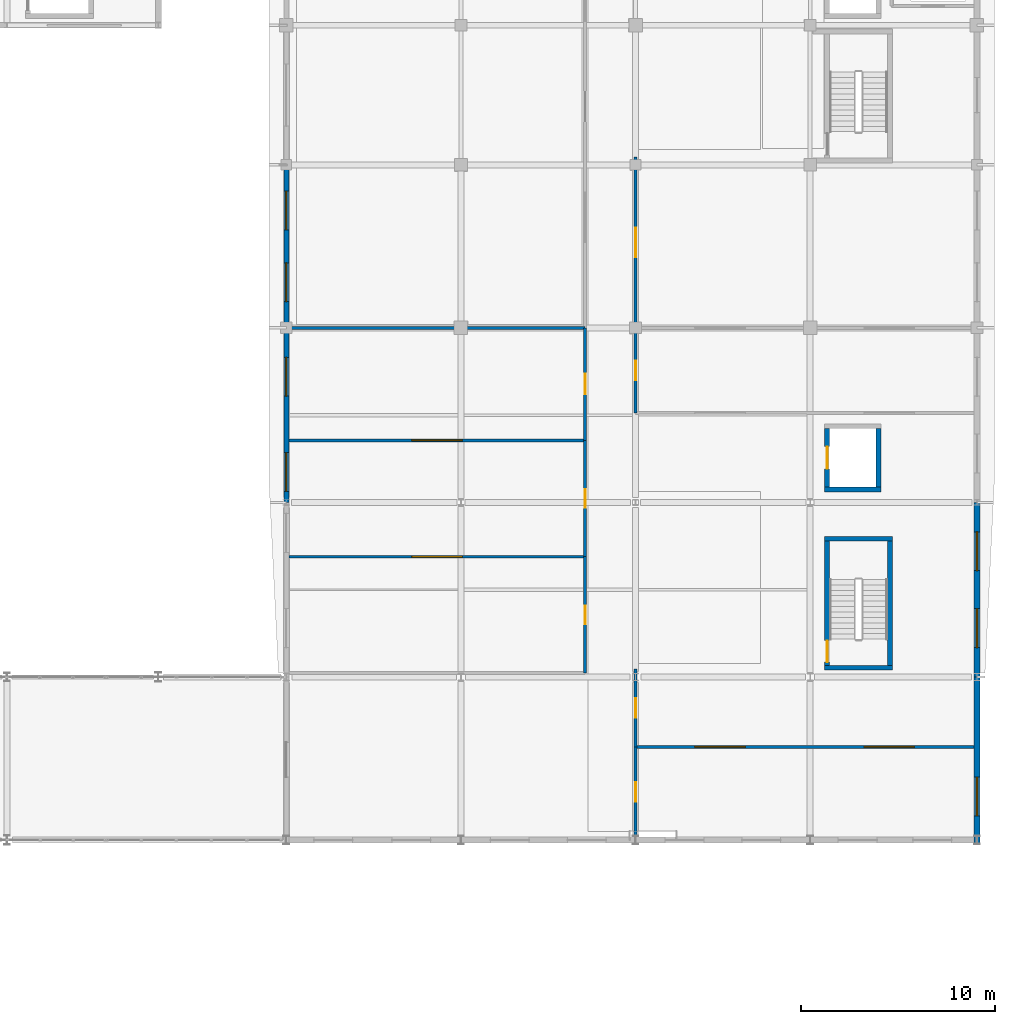
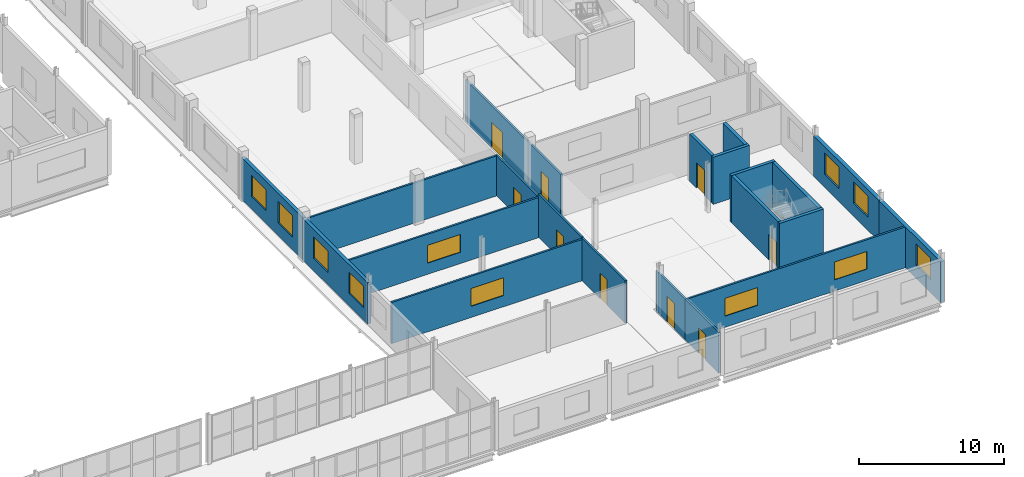
# One storey, part 99 of 121: 22 walls, 11 windows, 9 doors, 20 openings.
"""IFC4 building model written with IfcOpenShell, lengths in metres."""

import ifcopenshell
import ifcopenshell.guid

model = None  # the IFC model being written
_history = None  # IfcOwnerHistory: only IFC2X3 demands one
_inside = {}  # id of a spatial element -> (the spatial element, [elements in it])
_under = {}  # id of a project, library or spatial element -> (it, [spatial elements below it])
_declared = {}  # id of a project -> (the project, [libraries it declares])
_typed = {}  # id of a type object -> (the type object, [elements of that type])
_made_of = {}  # id of a material, layer set ... -> (it, [elements and type objects made of it])


def new_model(schema):
    """Start an empty IFC model of exactly this schema.

    Asked for "IFC4X3", IfcOpenShell would pick the latest addendum, in which some entities
    have other attributes; the version numbers below select the first issue.
    IFC2X3 requires an IfcOwnerHistory on every rooted entity: one is made here for all.
    """
    global model, _history
    if schema == "IFC4X3":
        model = ifcopenshell.file(schema_version=(4, 3, 0, 0))
    else:
        model = ifcopenshell.file(schema=schema)
    _inside.clear()
    _under.clear()
    _declared.clear()
    _typed.clear()
    _made_of.clear()
    _history = None
    if model.schema == "IFC2X3":
        org = make("IfcOrganization", Name="unknown")
        user = make(
            "IfcPersonAndOrganization",
            ThePerson=make("IfcPerson", FamilyName="unknown"),
            TheOrganization=org,
        )
        app = make(
            "IfcApplication",
            ApplicationDeveloper=org,
            Version="unknown",
            ApplicationFullName="unknown",
            ApplicationIdentifier="unknown",
        )
        _history = make(
            "IfcOwnerHistory",
            OwningUser=user,
            OwningApplication=app,
            ChangeAction="ADDED",
            CreationDate=0,
        )
    return model


def make(cls, **values):
    """One entity of the class cls with the attributes given. An attribute that is None is left unset."""
    return model.create_entity(
        cls, **{name: value for name, value in values.items() if value is not None}
    )


def rooted(cls, **values):
    """An entity with a GlobalId (a new one), such as an element, a storey or a relation."""
    return make(cls, GlobalId=ifcopenshell.guid.new(), OwnerHistory=_history, **values)


def si_unit(unit_type, name, prefix=None):
    """IfcSIUnit, for example si_unit("LENGTHUNIT", "METRE", prefix="MILLI")."""
    return make("IfcSIUnit", UnitType=unit_type, Prefix=prefix, Name=name)


def assignment(units):
    """IfcUnitAssignment: the units of a project."""
    return None if units is None else make("IfcUnitAssignment", Units=units)


def point(xyz):
    """IfcCartesianPoint."""
    return None if xyz is None else make("IfcCartesianPoint", Coordinates=xyz)


def direction(xyz):
    """IfcDirection."""
    return None if xyz is None else make("IfcDirection", DirectionRatios=xyz)


def frame(location, z_axis=None, x_axis=None):
    """IfcAxis2Placement3D, a coordinate frame: its origin and axes. An axis left out is left unset."""
    return make(
        "IfcAxis2Placement3D",
        Location=point(location),
        Axis=direction(z_axis),
        RefDirection=direction(x_axis),
    )


def frame_2d(location, x_axis=None):
    """IfcAxis2Placement2D, a coordinate frame in the plane: its origin and x axis."""
    return make(
        "IfcAxis2Placement2D", Location=point(location), RefDirection=direction(x_axis)
    )


def origin():
    """The frame at (0, 0, 0) with its axes left unset."""
    return frame((0.0, 0.0, 0.0))


def place(relative_to, where):
    """IfcLocalPlacement: puts the frame where relative to a parent placement (None: the world)."""
    return make(
        "IfcLocalPlacement", PlacementRelTo=relative_to, RelativePlacement=where
    )


def context(
    kind, dimensions, precision=None, world=None, true_north=None, identifier=None
):
    """IfcGeometricRepresentationContext, for example the 3D "Model" context."""
    return make(
        "IfcGeometricRepresentationContext",
        ContextIdentifier=identifier,
        ContextType=kind,
        CoordinateSpaceDimension=dimensions,
        Precision=precision,
        WorldCoordinateSystem=world,
        TrueNorth=true_north,
    )


def subcontext(parent, identifier, kind, view, scale=None):
    """IfcGeometricRepresentationSubContext, for example "Body" below "Model"."""
    return make(
        "IfcGeometricRepresentationSubContext",
        ContextIdentifier=identifier,
        ContextType=kind,
        ParentContext=parent,
        TargetScale=scale,
        TargetView=view,
    )


def project(units=None, contexts=None):
    """IfcProject with its units and contexts."""
    return rooted(
        "IfcProject",
        Name="project",
        RepresentationContexts=contexts,
        UnitsInContext=assignment(units),
    )


def spatial(cls, under=None, at=None, **own):
    """A site, building, storey or space (cls), placed at a placement, below another one or the project."""
    s = rooted(cls, ObjectPlacement=at, **own)
    if under is not None:
        _under.setdefault(under.id(), (under, []))[1].append(s)
    return s


def profile(cls, at=None, kind="AREA", **sizes):
    """A parametric profile (cls). Its sizes go by their IFC names, for example OverallWidth=200.0."""
    return make(cls, ProfileType=kind, Position=at, **sizes)


def rectangle(**sizes):
    """IfcRectangleProfileDef."""
    return profile("IfcRectangleProfileDef", **sizes)


def extrude(swept, where, along, depth):
    """IfcExtrudedAreaSolid: the profile swept, set in the frame where, extruded along a direction by depth."""
    return make(
        "IfcExtrudedAreaSolid",
        SweptArea=swept,
        Position=where,
        ExtrudedDirection=direction(along),
        Depth=depth,
    )


def shape(context_of_items, identifier, shape_type, items):
    """IfcShapeRepresentation: the items that make up one representation, for example the "Body"."""
    return make(
        "IfcShapeRepresentation",
        ContextOfItems=context_of_items,
        RepresentationIdentifier=identifier,
        RepresentationType=shape_type,
        Items=items,
    )


def material(Name=None, Category=None):
    """IfcMaterial."""
    return make("IfcMaterial", Name=Name, Category=Category)


def layer(
    of_material, thickness, ventilated=None, Name=None, Category=None, Priority=None
):
    """IfcMaterialLayer: one layer of a wall or slab, of a material (None: an air gap)."""
    return make(
        "IfcMaterialLayer",
        Material=of_material,
        LayerThickness=thickness,
        IsVentilated=ventilated,
        Name=Name,
        Category=Category,
        Priority=Priority,
    )


def layer_set(layers, Name=None):
    """IfcMaterialLayerSet."""
    return make("IfcMaterialLayerSet", MaterialLayers=layers, LayerSetName=Name)


def made_of(thing, what):
    """Note that an element or type object is made of a material, layer set ...; save() writes the relation."""
    if what is not None:
        _made_of.setdefault(what.id(), (what, []))[1].append(thing)
    return thing


def type_object(cls, material=None, **own):
    """A type object (cls), such as IfcWallType, which elements share."""
    return made_of(rooted(cls, **own), material)


def element(
    cls,
    number,
    at=None,
    inside=None,
    cuts=None,
    type_object=None,
    material=None,
    context=None,
    identifier="Body",
    shape_type=None,
    held_by="IfcProductDefinitionShape",
    body=None,
    shapes=None,
    **own,
):
    """One element of the class cls, such as IfcWall. Its Tag is "e" and its number.

    at: its placement. inside: the storey or other place that contains it. cuts: it is an
    opening in that element (IfcRelVoidsElement). A single representation is given by context,
    identifier, shape_type and body (its items); several are given by shapes. held_by: the class
    of the entity that holds the representations. save() writes the other relations.
    """
    e = rooted(cls, Tag="e%d" % number, ObjectPlacement=at, **own)
    if body is not None:
        shapes = [shape(context, identifier, shape_type, body)]
    if shapes is not None:
        e.Representation = make(held_by, Representations=shapes)
    if inside is not None:
        _inside.setdefault(inside.id(), (inside, []))[1].append(e)
    if cuts is not None:
        rooted(
            "IfcRelVoidsElement", RelatingBuildingElement=cuts, RelatedOpeningElement=e
        )
    if type_object is not None:
        _typed.setdefault(type_object.id(), (type_object, []))[1].append(e)
    return made_of(e, material)


def fill(opening, filler):
    """IfcRelFillsElement: the door or window that sits in an opening."""
    return rooted(
        "IfcRelFillsElement",
        RelatingOpeningElement=opening,
        RelatedBuildingElement=filler,
    )


def aggregate(whole, parts):
    """IfcRelAggregates: a whole, such as a stair, and the parts it consists of."""
    return rooted("IfcRelAggregates", RelatingObject=whole, RelatedObjects=parts)


def save(model, path):
    """Write the relations noted so far, then the file.

    IfcRelAggregates (storeys below a building ...), IfcRelContainedInSpatialStructure (elements
    in a storey), IfcRelDefinesByType, IfcRelAssociatesMaterial and IfcRelDeclares: one each for
    every whole, place, type object, material and project.
    """
    for whole, parts in _under.values():
        aggregate(whole, parts)
    for where, things in _inside.values():
        rooted(
            "IfcRelContainedInSpatialStructure",
            RelatedElements=things,
            RelatingStructure=where,
        )
    for kind, things in _typed.values():
        rooted("IfcRelDefinesByType", RelatedObjects=things, RelatingType=kind)
    for what, things in _made_of.values():
        rooted("IfcRelAssociatesMaterial", RelatedObjects=things, RelatingMaterial=what)
    for by, libraries in _declared.values():
        rooted("IfcRelDeclares", RelatingContext=by, RelatedDefinitions=libraries)
    model.write(path)


model = new_model("IFC4")

# Units and contexts
model_context = context("Model", 3, precision=1e-05, world=origin(), true_north=direction((0.0, 1.0)))
body_context = subcontext(model_context, "Body", "Model", "MODEL_VIEW")
ifc_project = project(units=[si_unit("LENGTHUNIT", "METRE"), si_unit("AREAUNIT", "SQUARE_METRE"), si_unit("VOLUMEUNIT", "CUBIC_METRE"), si_unit("PLANEANGLEUNIT", "RADIAN"), si_unit("MASSUNIT", "GRAM", prefix="KILO")], contexts=[model_context])

# Site, building, storey
site_placement = place(None, origin())
site = spatial("IfcSite", under=ifc_project, at=site_placement, CompositionType="ELEMENT")
building_placement = place(site_placement, origin())
building = spatial("IfcBuilding", under=site, at=building_placement, Name="Vinh Khe Railworks Police Headquarters", CompositionType="ELEMENT")
storey_placement = place(building_placement, frame((0.0, 0.0, 4.800048828125)))
storey = spatial("IfcBuildingStorey", under=building, at=storey_placement, Name="L01", CompositionType="ELEMENT", Elevation=4.800048828125)

# Walls
ifc_material_1 = material(Name="Concrete C40/50 (B40)", Category="concrete")
ifc_layer_1 = layer(ifc_material_1, 0.25)
ifc_layer_set_1 = layer_set([ifc_layer_1], Name="Concrete C40/50 (B40)")
wall_type_1 = type_object("IfcWallType", Name="Core Shear Wall 250", PredefinedType="SHEAR", material=ifc_layer_set_1)
for number, where, z_axis, x_axis, name in (
    (1, (105.75, 104.875, 0.0), (0.0, 0.0, 1.0), (1.0, 0.0, 0.0), "Core C4 STAIR-S Shear Wall (L01)"),
    (2, (105.75, 111.52490234375, 0.0), (0.0, 0.0, 1.0), (1.0, 0.0, 0.0), "Core C4 STAIR-N Shear Wall (L01)"),
):
    element("IfcWall", number, at=place(storey_placement, frame(where, z_axis=z_axis, x_axis=x_axis)), inside=storey, type_object=wall_type_1, Name=name, PredefinedType="SHEAR", context=body_context, shape_type="SweptSolid", body=[
        extrude(rectangle(XDim=3.5, YDim=0.25, at=frame_2d((1.75, 0.0))), origin(), (0.0, 0.0, 1.0), 3.97998046875),
    ])

# Wall, opening, door
wall_1_placement = place(storey_placement, frame((105.875, 105.0, 0.0), z_axis=(0.0, 0.0, 1.0), x_axis=(0.0, 1.0, 0.0)))
wall_1 = element("IfcWall", 3, at=wall_1_placement, inside=storey, type_object=wall_type_1, Name="Core C4 STAIR-W Shear Wall (L01)", PredefinedType="SHEAR", context=body_context, shape_type="SweptSolid", body=[
    extrude(rectangle(XDim=6.39990234375, YDim=0.25, at=frame_2d((3.199951171875, 0.0))), origin(), (0.0, 0.0, 1.0), 3.97998046875),
])
opening_1_placement = place(wall_1_placement, frame((0.169921875, 0.0, 0.0)))
opening_1 = element("IfcOpeningElement", 4, at=opening_1_placement, cuts=wall_1, Name="Opening FD-01", PredefinedType="OPENING", context=body_context, shape_type="SweptSolid", body=[
    extrude(rectangle(XDim=1.10009765625, YDim=2.14990234375, at=frame_2d((0.550048828125, 1.074951171875))), frame((0.0, 0.139892578125, 0.0), z_axis=(0.0, -1.0, 0.0), x_axis=(1.0, 0.0, 0.0)), (0.0, 0.0, 1.0), 0.27978515625),
])
ifc_material_2 = material(Name="Painted galvanised steel", Category="steel")
door_type_1 = type_object("IfcDoorType", Name="FD-1100x2150", OperationType="NOTDEFINED", PredefinedType="DOOR", material=ifc_material_2)
door_1_placement = place(opening_1_placement, origin())
door_1 = element("IfcDoor", 5, at=door_1_placement, inside=storey, type_object=door_type_1, Name="Escape Stair ST-04 Fire Door L01", OperationType="SINGLE_SWING_LEFT", OverallHeight=2.14990234375, OverallWidth=1.10009765625, PredefinedType="DOOR", context=body_context, shape_type="SweptSolid", body=[
    extrude(rectangle(XDim=1.10009765625, YDim=2.14990234375, at=frame_2d((0.550048828125, 1.074951171875))), frame((0.0, 0.02490234375, 0.0), z_axis=(0.0, -1.0, 0.0), x_axis=(1.0, 0.0, 0.0)), (0.0, 0.0, 1.0), 0.050048828125),
])
fill(opening_1, door_1)

# Walls
wall_2_placement = place(storey_placement, frame((109.125, 105.0, 0.0), z_axis=(0.0, 0.0, 1.0), x_axis=(0.0, 1.0, 0.0)))
element("IfcWall", 6, at=wall_2_placement, inside=storey, type_object=wall_type_1, Name="Core C4 STAIR-E Shear Wall (L01)", PredefinedType="SHEAR", context=body_context, shape_type="SweptSolid", body=[
    extrude(rectangle(XDim=6.39990234375, YDim=0.25, at=frame_2d((3.199951171875, 0.0))), origin(), (0.0, 0.0, 1.0), 3.97998046875),
])
wall_3_placement = place(storey_placement, frame((105.75, 114.074951171875, 0.0), z_axis=(0.0, 0.0, 1.0), x_axis=(1.0, 0.0, 0.0)))
element("IfcWall", 7, at=wall_3_placement, inside=storey, type_object=wall_type_1, Name="Core C4 PL-S Lift Shaft Wall (L01)", PredefinedType="SHEAR", context=body_context, shape_type="SweptSolid", body=[
    extrude(rectangle(XDim=2.89990234375, YDim=0.25, at=frame_2d((1.449951171875, 0.0))), origin(), (0.0, 0.0, 1.0), 3.97998046875),
])

# Wall, opening, door
wall_4_placement = place(storey_placement, frame((105.875, 114.199951171875, 0.0), z_axis=(0.0, 0.0, 1.0), x_axis=(0.0, 1.0, 0.0)))
wall_4 = element("IfcWall", 8, at=wall_4_placement, inside=storey, type_object=wall_type_1, Name="Core C4 PL-W Lift Shaft Wall (L01)", PredefinedType="SHEAR", context=body_context, shape_type="SweptSolid", body=[
    extrude(rectangle(XDim=3.0, YDim=0.25, at=frame_2d((1.5, 0.0))), origin(), (0.0, 0.0, 1.0), 3.97998046875),
])
opening_2_placement = place(wall_4_placement, frame((0.925048828125, 0.0, 0.0)))
opening_2 = element("IfcOpeningElement", 9, at=opening_2_placement, cuts=wall_4, Name="Opening LD-03", PredefinedType="OPENING", context=body_context, shape_type="SweptSolid", body=[
    extrude(rectangle(XDim=1.14990234375, YDim=2.14990234375, at=frame_2d((0.574951171875, 1.074951171875))), frame((0.0, 0.139892578125, 0.0), z_axis=(0.0, -1.0, 0.0), x_axis=(1.0, 0.0, 0.0)), (0.0, 0.0, 1.0), 0.27978515625),
])
door_type_2 = type_object("IfcDoorType", Name="LD-CUST-1150", OperationType="SLIDING_TO_LEFT", PredefinedType="DOOR", material=ifc_material_2)
door_2_placement = place(opening_2_placement, origin())
door_2 = element("IfcDoor", 10, at=door_2_placement, inside=storey, type_object=door_type_2, Name="Lift Landing Door CL-01 L01", OperationType="SLIDING_TO_LEFT", OverallHeight=2.14990234375, OverallWidth=1.14990234375, PredefinedType="DOOR", context=body_context, shape_type="SweptSolid", body=[
    extrude(rectangle(XDim=1.14990234375, YDim=2.14990234375, at=frame_2d((0.574951171875, 1.074951171875))), frame((0.0, 0.02490234375, 0.0), z_axis=(0.0, -1.0, 0.0), x_axis=(1.0, 0.0, 0.0)), (0.0, 0.0, 1.0), 0.050048828125),
])
fill(opening_2, door_2)

# Wall
wall_5_placement = place(storey_placement, frame((108.52490234375, 114.199951171875, 0.0), z_axis=(0.0, 0.0, 1.0), x_axis=(0.0, 1.0, 0.0)))
element("IfcWall", 11, at=wall_5_placement, inside=storey, type_object=wall_type_1, Name="Core C4 PL-E Lift Shaft Wall (L01)", PredefinedType="SHEAR", context=body_context, shape_type="SweptSolid", body=[
    extrude(rectangle(XDim=3.0, YDim=0.25, at=frame_2d((1.5, 0.0))), origin(), (0.0, 0.0, 1.0), 3.97998046875),
])

# Wall, openings, windows
ifc_material_3 = material(Name="Clay brickwork", Category="masonry")
ifc_layer_2 = layer(ifc_material_3, 0.260009765625)
ifc_layer_set_2 = layer_set([ifc_layer_2], Name="Clay brickwork")
wall_type_2 = type_object("IfcWallType", Name="EW-BRK-260", PredefinedType="SOLIDWALL", material=ifc_layer_set_2)
wall_6_placement = place(storey_placement, frame((78.0, 113.39990234375, 0.0), z_axis=(0.0, 0.0, 1.0), x_axis=(0.0, 1.0, 0.0)))
wall_6 = element("IfcWall", 12, at=wall_6_placement, inside=storey, type_object=wall_type_2, Name="Exterior Brick Wall EW-L01-V6W-03", PredefinedType="SOLIDWALL", context=body_context, shape_type="SweptSolid", body=[
    extrude(rectangle(XDim=9.0, YDim=0.260009765625, at=frame_2d((4.5, 0.0))), origin(), (0.0, 0.0, 1.0), 3.48486328125),
])
opening_3_placement = place(wall_6_placement, frame((0.570068359375, 0.0, 1.050048828125)))
opening_3 = element("IfcOpeningElement", 13, at=opening_3_placement, cuts=wall_6, Name="Opening WN-04", PredefinedType="OPENING", context=body_context, shape_type="SweptSolid", body=[
    extrude(rectangle(XDim=2.0, YDim=1.800048828125, at=frame_2d((1.0, 0.89990234375))), frame((0.0, 0.14501953125, 0.0), z_axis=(0.0, -1.0, 0.0), x_axis=(1.0, 0.0, 0.0)), (0.0, 0.0, 1.0), 0.289794921875),
])
opening_4_placement = place(wall_6_placement, frame((5.47998046875, 0.0, 1.050048828125)))
opening_4 = element("IfcOpeningElement", 14, at=opening_4_placement, cuts=wall_6, Name="Opening WN-04", PredefinedType="OPENING", context=body_context, shape_type="SweptSolid", body=[
    extrude(rectangle(XDim=2.0, YDim=1.800048828125, at=frame_2d((1.0, 0.89990234375))), frame((0.0, 0.14501953125, 0.0), z_axis=(0.0, -1.0, 0.0), x_axis=(1.0, 0.0, 0.0)), (0.0, 0.0, 1.0), 0.289794921875),
])
ifc_material_4 = material(Name="Double-glazed solar-control glass in dark steel frame", Category="steel")
window_type_1 = type_object("IfcWindowType", Name="WIN-WN-04", PartitioningType="DOUBLE_PANEL_VERTICAL", PredefinedType="WINDOW", material=ifc_material_4)
window_1_placement = place(opening_3_placement, origin())
window_1 = element("IfcWindow", 15, at=window_1_placement, inside=storey, type_object=window_type_1, Name="Casement Window WN-04", OverallHeight=1.800048828125, OverallWidth=2.0, PartitioningType="SINGLE_PANEL", PredefinedType="WINDOW", context=body_context, shape_type="SweptSolid", body=[
    extrude(rectangle(XDim=2.0, YDim=1.800048828125, at=frame_2d((1.0, 0.89990234375))), frame((0.0, 0.030029296875, 0.0), z_axis=(0.0, -1.0, 0.0), x_axis=(1.0, 0.0, 0.0)), (0.0, 0.0, 1.0), 0.06005859375),
])
fill(opening_3, window_1)
window_2_placement = place(opening_4_placement, origin())
window_2 = element("IfcWindow", 16, at=window_2_placement, inside=storey, type_object=window_type_1, Name="Casement Window WN-04", OverallHeight=1.800048828125, OverallWidth=2.0, PartitioningType="SINGLE_PANEL", PredefinedType="WINDOW", context=body_context, shape_type="SweptSolid", body=[
    extrude(rectangle(XDim=2.0, YDim=1.800048828125, at=frame_2d((1.0, 0.89990234375))), frame((0.0, 0.030029296875, 0.0), z_axis=(0.0, -1.0, 0.0), x_axis=(1.0, 0.0, 0.0)), (0.0, 0.0, 1.0), 0.06005859375),
])
fill(opening_4, window_2)

wall_7_placement = place(storey_placement, frame((78.0, 122.39990234375, 0.0), z_axis=(0.0, 0.0, 1.0), x_axis=(0.0, 1.0, 0.0)))
wall_7 = element("IfcWall", 17, at=wall_7_placement, inside=storey, type_object=wall_type_2, Name="Exterior Brick Wall EW-L01-V6W-04", PredefinedType="SOLIDWALL", context=body_context, shape_type="SweptSolid", body=[
    extrude(rectangle(XDim=8.400146484375, YDim=0.260009765625, at=frame_2d((4.2001953125, 0.0))), origin(), (0.0, 0.0, 1.0), 3.534912109375),
])
opening_5_placement = place(wall_7_placement, frame((1.35205078125, 0.0, 1.050048828125)))
opening_5 = element("IfcOpeningElement", 18, at=opening_5_placement, cuts=wall_7, Name="Opening WN-04", PredefinedType="OPENING", context=body_context, shape_type="SweptSolid", body=[
    extrude(rectangle(XDim=2.0, YDim=1.800048828125, at=frame_2d((1.0, 0.89990234375))), frame((0.0, 0.14501953125, 0.0), z_axis=(0.0, -1.0, 0.0), x_axis=(1.0, 0.0, 0.0)), (0.0, 0.0, 1.0), 0.289794921875),
])
opening_6_placement = place(wall_7_placement, frame((5.048095703125, 0.0, 1.050048828125)))
opening_6 = element("IfcOpeningElement", 19, at=opening_6_placement, cuts=wall_7, Name="Opening WN-04", PredefinedType="OPENING", context=body_context, shape_type="SweptSolid", body=[
    extrude(rectangle(XDim=2.0, YDim=1.800048828125, at=frame_2d((1.0, 0.89990234375))), frame((0.0, 0.14501953125, 0.0), z_axis=(0.0, -1.0, 0.0), x_axis=(1.0, 0.0, 0.0)), (0.0, 0.0, 1.0), 0.289794921875),
])
window_3_placement = place(opening_5_placement, origin())
window_3 = element("IfcWindow", 20, at=window_3_placement, inside=storey, type_object=window_type_1, Name="Casement Window WN-04", OverallHeight=1.800048828125, OverallWidth=2.0, PartitioningType="SINGLE_PANEL", PredefinedType="WINDOW", context=body_context, shape_type="SweptSolid", body=[
    extrude(rectangle(XDim=2.0, YDim=1.800048828125, at=frame_2d((1.0, 0.89990234375))), frame((0.0, 0.030029296875, 0.0), z_axis=(0.0, -1.0, 0.0), x_axis=(1.0, 0.0, 0.0)), (0.0, 0.0, 1.0), 0.06005859375),
])
fill(opening_5, window_3)
window_4_placement = place(opening_6_placement, origin())
window_4 = element("IfcWindow", 21, at=window_4_placement, inside=storey, type_object=window_type_1, Name="Casement Window WN-04", OverallHeight=1.800048828125, OverallWidth=2.0, PartitioningType="SINGLE_PANEL", PredefinedType="WINDOW", context=body_context, shape_type="SweptSolid", body=[
    extrude(rectangle(XDim=2.0, YDim=1.800048828125, at=frame_2d((1.0, 0.89990234375))), frame((0.0, 0.030029296875, 0.0), z_axis=(0.0, -1.0, 0.0), x_axis=(1.0, 0.0, 0.0)), (0.0, 0.0, 1.0), 0.06005859375),
])
fill(opening_6, window_4)

# Wall, opening, window
ifc_layer_3 = layer(ifc_material_3, 0.300048828125)
ifc_layer_set_3 = layer_set([ifc_layer_3], Name="Clay brickwork")
wall_type_3 = type_object("IfcWallType", Name="EW-BRK-300", PredefinedType="SOLIDWALL", material=ifc_layer_set_3)
wall_8_placement = place(storey_placement, frame((113.60009765625, 95.85009765625, 0.0), z_axis=(0.0, 0.0, 1.0), x_axis=(0.0, 1.0, 0.0)))
wall_8 = element("IfcWall", 22, at=wall_8_placement, inside=storey, type_object=wall_type_3, Name="Exterior Brick Wall EW-L01-V6E-01", PredefinedType="SOLIDWALL", context=body_context, shape_type="SweptSolid", body=[
    extrude(rectangle(XDim=8.5498046875, YDim=0.300048828125, at=frame_2d((4.27490234375, 0.0))), origin(), (0.0, 0.0, 1.0), 3.43505859375),
])
opening_7_placement = place(wall_8_placement, frame((1.39404296875, 0.0, 1.10009765625)))
opening_7 = element("IfcOpeningElement", 23, at=opening_7_placement, cuts=wall_8, Name="Opening WN-04", PredefinedType="OPENING", context=body_context, shape_type="SweptSolid", body=[
    extrude(rectangle(XDim=2.0, YDim=1.800048828125, at=frame_2d((1.0, 0.89990234375))), frame((0.0, 0.1650390625, 0.0), z_axis=(0.0, -1.0, 0.0), x_axis=(1.0, 0.0, 0.0)), (0.0, 0.0, 1.0), 0.329833984375),
])
window_5_placement = place(opening_7_placement, origin())
window_5 = element("IfcWindow", 24, at=window_5_placement, inside=storey, type_object=window_type_1, Name="Casement Window WN-04", OverallHeight=1.800048828125, OverallWidth=2.0, PartitioningType="SINGLE_PANEL", PredefinedType="WINDOW", context=body_context, shape_type="SweptSolid", body=[
    extrude(rectangle(XDim=2.0, YDim=1.800048828125, at=frame_2d((1.0, 0.89990234375))), frame((0.0, 0.030029296875, 0.0), z_axis=(0.0, -1.0, 0.0), x_axis=(1.0, 0.0, 0.0)), (0.0, 0.0, 1.0), 0.06005859375),
])
fill(opening_7, window_5)

# Wall, openings, windows
wall_9_placement = place(storey_placement, frame((113.60009765625, 104.39990234375, 0.0), z_axis=(0.0, 0.0, 1.0), x_axis=(0.0, 1.0, 0.0)))
wall_9 = element("IfcWall", 25, at=wall_9_placement, inside=storey, type_object=wall_type_3, Name="Exterior Brick Wall EW-L01-V6E-02", PredefinedType="SOLIDWALL", context=body_context, shape_type="SweptSolid", body=[
    extrude(rectangle(XDim=9.0, YDim=0.300048828125, at=frame_2d((4.5, 0.0))), origin(), (0.0, 0.0, 1.0), 3.43505859375),
])
opening_8_placement = place(wall_9_placement, frame((1.52001953125, 0.0, 1.10009765625)))
opening_8 = element("IfcOpeningElement", 26, at=opening_8_placement, cuts=wall_9, Name="Opening WN-04", PredefinedType="OPENING", context=body_context, shape_type="SweptSolid", body=[
    extrude(rectangle(XDim=2.0, YDim=1.800048828125, at=frame_2d((1.0, 0.89990234375))), frame((0.0, 0.1650390625, 0.0), z_axis=(0.0, -1.0, 0.0), x_axis=(1.0, 0.0, 0.0)), (0.0, 0.0, 1.0), 0.329833984375),
])
opening_9_placement = place(wall_9_placement, frame((5.47998046875, 0.0, 1.10009765625)))
opening_9 = element("IfcOpeningElement", 27, at=opening_9_placement, cuts=wall_9, Name="Opening WN-04", PredefinedType="OPENING", context=body_context, shape_type="SweptSolid", body=[
    extrude(rectangle(XDim=2.0, YDim=1.800048828125, at=frame_2d((1.0, 0.89990234375))), frame((0.0, 0.1650390625, 0.0), z_axis=(0.0, -1.0, 0.0), x_axis=(1.0, 0.0, 0.0)), (0.0, 0.0, 1.0), 0.329833984375),
])
window_6_placement = place(opening_8_placement, origin())
window_6 = element("IfcWindow", 28, at=window_6_placement, inside=storey, type_object=window_type_1, Name="Casement Window WN-04", OverallHeight=1.800048828125, OverallWidth=2.0, PartitioningType="SINGLE_PANEL", PredefinedType="WINDOW", context=body_context, shape_type="SweptSolid", body=[
    extrude(rectangle(XDim=2.0, YDim=1.800048828125, at=frame_2d((1.0, 0.89990234375))), frame((0.0, 0.030029296875, 0.0), z_axis=(0.0, -1.0, 0.0), x_axis=(1.0, 0.0, 0.0)), (0.0, 0.0, 1.0), 0.06005859375),
])
fill(opening_8, window_6)
window_7_placement = place(opening_9_placement, origin())
window_7 = element("IfcWindow", 29, at=window_7_placement, inside=storey, type_object=window_type_1, Name="Casement Window WN-04", OverallHeight=1.800048828125, OverallWidth=2.0, PartitioningType="SINGLE_PANEL", PredefinedType="WINDOW", context=body_context, shape_type="SweptSolid", body=[
    extrude(rectangle(XDim=2.0, YDim=1.800048828125, at=frame_2d((1.0, 0.89990234375))), frame((0.0, 0.030029296875, 0.0), z_axis=(0.0, -1.0, 0.0), x_axis=(1.0, 0.0, 0.0)), (0.0, 0.0, 1.0), 0.06005859375),
])
fill(opening_9, window_7)

# Wall, opening, window
ifc_material_5 = material(Name="Gypsum plasterboard on steel stud", Category="steel")
ifc_layer_4 = layer(ifc_material_5, 0.1201171875)
ifc_layer_set_4 = layer_set([ifc_layer_4], Name="Gypsum plasterboard on steel stud")
wall_type_4 = type_object("IfcWallType", Name="IW-PART-120", PredefinedType="PARTITIONING", material=ifc_layer_set_4)
wall_10_placement = place(storey_placement, frame((78.139892578125, 110.60009765625, 0.0), z_axis=(0.0, 0.0, 1.0), x_axis=(1.0, 0.0, 0.0)))
wall_10 = element("IfcWall", 30, at=wall_10_placement, inside=storey, type_object=wall_type_4, Name="Interior Partition W-L01-V6-SOL2-DIV", PredefinedType="PARTITIONING", context=body_context, shape_type="SweptSolid", body=[
    extrude(rectangle(XDim=15.260009765625, YDim=0.14990234375, at=frame_2d((7.6298828125, 0.0))), origin(), (0.0, 0.0, 1.0), 3.48486328125),
])
opening_10_placement = place(wall_10_placement, frame((6.330078125, 0.0, 0.949951171875)))
opening_10 = element("IfcOpeningElement", 31, at=opening_10_placement, cuts=wall_10, Name="Opening WN-07", PredefinedType="OPENING", context=body_context, shape_type="SweptSolid", body=[
    extrude(rectangle(XDim=2.60009765625, YDim=1.5, at=frame_2d((1.300048828125, 0.75))), frame((0.0, 0.08984375, 0.0), z_axis=(0.0, -1.0, 0.0), x_axis=(1.0, 0.0, 0.0)), (0.0, 0.0, 1.0), 0.1796875),
])
window_type_2 = type_object("IfcWindowType", Name="WIN-WN-07", PartitioningType="DOUBLE_PANEL_HORIZONTAL", PredefinedType="WINDOW", material=ifc_material_4)
window_8_placement = place(opening_10_placement, origin())
window_8 = element("IfcWindow", 32, at=window_8_placement, inside=storey, type_object=window_type_2, Name="Interior Acoustic Vision Window WN-07", OverallHeight=1.5, OverallWidth=2.60009765625, PartitioningType="SINGLE_PANEL", PredefinedType="WINDOW", context=body_context, shape_type="SweptSolid", body=[
    extrude(rectangle(XDim=2.60009765625, YDim=1.5, at=frame_2d((1.300048828125, 0.75))), frame((0.0, 0.030029296875, 0.0), z_axis=(0.0, -1.0, 0.0), x_axis=(1.0, 0.0, 0.0)), (0.0, 0.0, 1.0), 0.06005859375),
])
fill(opening_10, window_8)

wall_11_placement = place(storey_placement, frame((78.139892578125, 116.60009765625, 0.0), z_axis=(0.0, 0.0, 1.0), x_axis=(1.0, 0.0, 0.0)))
wall_11 = element("IfcWall", 33, at=wall_11_placement, inside=storey, type_object=wall_type_4, Name="Interior Partition W-L01-V6-CMED-DIV", PredefinedType="PARTITIONING", context=body_context, shape_type="SweptSolid", body=[
    extrude(rectangle(XDim=15.260009765625, YDim=0.14990234375, at=frame_2d((7.6298828125, 0.0))), origin(), (0.0, 0.0, 1.0), 3.385009765625),
])
opening_11_placement = place(wall_11_placement, frame((6.330078125, 0.0, 0.949951171875)))
opening_11 = element("IfcOpeningElement", 34, at=opening_11_placement, cuts=wall_11, Name="Opening WN-07", PredefinedType="OPENING", context=body_context, shape_type="SweptSolid", body=[
    extrude(rectangle(XDim=2.60009765625, YDim=1.5, at=frame_2d((1.300048828125, 0.75))), frame((0.0, 0.08984375, 0.0), z_axis=(0.0, -1.0, 0.0), x_axis=(1.0, 0.0, 0.0)), (0.0, 0.0, 1.0), 0.1796875),
])
window_9_placement = place(opening_11_placement, origin())
window_9 = element("IfcWindow", 35, at=window_9_placement, inside=storey, type_object=window_type_2, Name="Interior Acoustic Vision Window WN-07", OverallHeight=1.5, OverallWidth=2.60009765625, PartitioningType="SINGLE_PANEL", PredefinedType="WINDOW", context=body_context, shape_type="SweptSolid", body=[
    extrude(rectangle(XDim=2.60009765625, YDim=1.5, at=frame_2d((1.300048828125, 0.75))), frame((0.0, 0.030029296875, 0.0), z_axis=(0.0, -1.0, 0.0), x_axis=(1.0, 0.0, 0.0)), (0.0, 0.0, 1.0), 0.06005859375),
])
fill(opening_11, window_9)

# Wall
wall_12_placement = place(storey_placement, frame((78.139892578125, 122.39990234375, 0.0), z_axis=(0.0, 0.0, 1.0), x_axis=(1.0, 0.0, 0.0)))
element("IfcWall", 36, at=wall_12_placement, inside=storey, type_object=wall_type_4, Name="Interior Partition W-L01-V6-FCHEM-DIV", PredefinedType="PARTITIONING", context=body_context, shape_type="SweptSolid", body=[
    extrude(rectangle(XDim=15.260009765625, YDim=0.14990234375, at=frame_2d((7.6298828125, 0.0))), origin(), (0.0, 0.0, 1.0), 3.385009765625),
])

# Wall, openings, windows
wall_13_placement = place(storey_placement, frame((96.0, 100.800048828125, 0.0), z_axis=(0.0, 0.0, 1.0), x_axis=(1.0, 0.0, 0.0)))
wall_13 = element("IfcWall", 37, at=wall_13_placement, inside=storey, type_object=wall_type_4, Name="Interior Partition W-L01-V6-CELL5-DIV", PredefinedType="PARTITIONING", context=body_context, shape_type="SweptSolid", body=[
    extrude(rectangle(XDim=17.43994140625, YDim=0.14990234375, at=frame_2d((8.719970703125, 0.0))), origin(), (0.0, 0.0, 1.0), 3.43505859375),
])
opening_12_placement = place(wall_13_placement, frame((3.06005859375, 0.0, 0.949951171875)))
opening_12 = element("IfcOpeningElement", 38, at=opening_12_placement, cuts=wall_13, Name="Opening WN-07", PredefinedType="OPENING", context=body_context, shape_type="SweptSolid", body=[
    extrude(rectangle(XDim=2.60009765625, YDim=1.5, at=frame_2d((1.300048828125, 0.75))), frame((0.0, 0.08984375, 0.0), z_axis=(0.0, -1.0, 0.0), x_axis=(1.0, 0.0, 0.0)), (0.0, 0.0, 1.0), 0.1796875),
])
opening_13_placement = place(wall_13_placement, frame((11.780029296875, 0.0, 0.949951171875)))
opening_13 = element("IfcOpeningElement", 39, at=opening_13_placement, cuts=wall_13, Name="Opening WN-07", PredefinedType="OPENING", context=body_context, shape_type="SweptSolid", body=[
    extrude(rectangle(XDim=2.60009765625, YDim=1.5, at=frame_2d((1.300048828125, 0.75))), frame((0.0, 0.08984375, 0.0), z_axis=(0.0, -1.0, 0.0), x_axis=(1.0, 0.0, 0.0)), (0.0, 0.0, 1.0), 0.1796875),
])
window_10_placement = place(opening_12_placement, origin())
window_10 = element("IfcWindow", 40, at=window_10_placement, inside=storey, type_object=window_type_2, Name="Interior Acoustic Vision Window WN-07", OverallHeight=1.5, OverallWidth=2.60009765625, PartitioningType="SINGLE_PANEL", PredefinedType="WINDOW", context=body_context, shape_type="SweptSolid", body=[
    extrude(rectangle(XDim=2.60009765625, YDim=1.5, at=frame_2d((1.300048828125, 0.75))), frame((0.0, 0.030029296875, 0.0), z_axis=(0.0, -1.0, 0.0), x_axis=(1.0, 0.0, 0.0)), (0.0, 0.0, 1.0), 0.06005859375),
])
fill(opening_12, window_10)
window_11_placement = place(opening_13_placement, origin())
window_11 = element("IfcWindow", 41, at=window_11_placement, inside=storey, type_object=window_type_2, Name="Interior Acoustic Vision Window WN-07", OverallHeight=1.5, OverallWidth=2.60009765625, PartitioningType="SINGLE_PANEL", PredefinedType="WINDOW", context=body_context, shape_type="SweptSolid", body=[
    extrude(rectangle(XDim=2.60009765625, YDim=1.5, at=frame_2d((1.300048828125, 0.75))), frame((0.0, 0.030029296875, 0.0), z_axis=(0.0, -1.0, 0.0), x_axis=(1.0, 0.0, 0.0)), (0.0, 0.0, 1.0), 0.06005859375),
])
fill(opening_13, window_11)

# Wall, opening, door
ifc_material_6 = material(Name="Gypsum plasterboard on acoustic steel stud", Category="steel")
ifc_layer_5 = layer(ifc_material_6, 0.14990234375)
ifc_layer_set_5 = layer_set([ifc_layer_5], Name="Gypsum plasterboard on acoustic steel stud")
wall_type_5 = type_object("IfcWallType", Name="IW-PART-150", PredefinedType="PARTITIONING", material=ifc_layer_set_5)
wall_14_placement = place(storey_placement, frame((93.39990234375, 104.60009765625, 0.0), z_axis=(0.0, 0.0, 1.0), x_axis=(0.0, 1.0, 0.0)))
wall_14 = element("IfcWall", 42, at=wall_14_placement, inside=storey, type_object=wall_type_5, Name="Interior Partition W-L01-V6-SOL1-CW", PredefinedType="PARTITIONING", context=body_context, shape_type="SweptSolid", body=[
    extrude(rectangle(XDim=6.0, YDim=0.14990234375, at=frame_2d((3.0, 0.0))), origin(), (0.0, 0.0, 1.0), 3.5849609375),
])
opening_14_placement = place(wall_14_placement, frame((2.52490234375, 0.0, 0.0)))
opening_14 = element("IfcOpeningElement", 43, at=opening_14_placement, cuts=wall_14, Name="Opening D-01", PredefinedType="OPENING", context=body_context, shape_type="SweptSolid", body=[
    extrude(rectangle(XDim=0.949951171875, YDim=2.14990234375, at=frame_2d((0.47509765625, 1.074951171875))), frame((0.0, 0.08984375, 0.0), z_axis=(0.0, -1.0, 0.0), x_axis=(1.0, 0.0, 0.0)), (0.0, 0.0, 1.0), 0.1796875),
])
ifc_material_7 = material(Name="Seasoned hardwood timber", Category="wood")
door_type_3 = type_object("IfcDoorType", Name="ID-950x2150", OperationType="NOTDEFINED", PredefinedType="DOOR", material=ifc_material_7)
door_3_placement = place(opening_14_placement, origin())
door_3 = element("IfcDoor", 44, at=door_3_placement, inside=storey, type_object=door_type_3, Name="Solicitor Interview Room 01 Door", OperationType="SINGLE_SWING_LEFT", OverallHeight=2.14990234375, OverallWidth=0.949951171875, PredefinedType="DOOR", context=body_context, shape_type="SweptSolid", body=[
    extrude(rectangle(XDim=0.949951171875, YDim=2.14990234375, at=frame_2d((0.47509765625, 1.074951171875))), frame((0.0, 0.02490234375, 0.0), z_axis=(0.0, -1.0, 0.0), x_axis=(1.0, 0.0, 0.0)), (0.0, 0.0, 1.0), 0.050048828125),
])
fill(opening_14, door_3)

wall_15_placement = place(storey_placement, frame((93.39990234375, 110.60009765625, 0.0), z_axis=(0.0, 0.0, 1.0), x_axis=(0.0, 1.0, 0.0)))
wall_15 = element("IfcWall", 45, at=wall_15_placement, inside=storey, type_object=wall_type_5, Name="Interior Partition W-L01-V6-SOL2-CW", PredefinedType="PARTITIONING", context=body_context, shape_type="SweptSolid", body=[
    extrude(rectangle(XDim=6.0, YDim=0.14990234375, at=frame_2d((3.0, 0.0))), origin(), (0.0, 0.0, 1.0), 3.625),
])
opening_15_placement = place(wall_15_placement, frame((2.52490234375, 0.0, 0.0)))
opening_15 = element("IfcOpeningElement", 46, at=opening_15_placement, cuts=wall_15, Name="Opening D-01", PredefinedType="OPENING", context=body_context, shape_type="SweptSolid", body=[
    extrude(rectangle(XDim=0.949951171875, YDim=2.14990234375, at=frame_2d((0.47509765625, 1.074951171875))), frame((0.0, 0.08984375, 0.0), z_axis=(0.0, -1.0, 0.0), x_axis=(1.0, 0.0, 0.0)), (0.0, 0.0, 1.0), 0.1796875),
])
door_4_placement = place(opening_15_placement, origin())
door_4 = element("IfcDoor", 47, at=door_4_placement, inside=storey, type_object=door_type_3, Name="Solicitor Interview Room 02 Door", OperationType="SINGLE_SWING_RIGHT", OverallHeight=2.14990234375, OverallWidth=0.949951171875, PredefinedType="DOOR", context=body_context, shape_type="SweptSolid", body=[
    extrude(rectangle(XDim=0.949951171875, YDim=2.14990234375, at=frame_2d((0.47509765625, 1.074951171875))), frame((0.0, 0.02490234375, 0.0), z_axis=(0.0, -1.0, 0.0), x_axis=(1.0, 0.0, 0.0)), (0.0, 0.0, 1.0), 0.050048828125),
])
fill(opening_15, door_4)

wall_16_placement = place(storey_placement, frame((93.39990234375, 116.60009765625, 0.0), z_axis=(0.0, 0.0, 1.0), x_axis=(0.0, 1.0, 0.0)))
wall_16 = element("IfcWall", 48, at=wall_16_placement, inside=storey, type_object=wall_type_5, Name="Interior Partition W-L01-V6-CMED-CW", PredefinedType="PARTITIONING", context=body_context, shape_type="SweptSolid", body=[
    extrude(rectangle(XDim=5.7998046875, YDim=0.14990234375, at=frame_2d((2.89990234375, 0.0))), origin(), (0.0, 0.0, 1.0), 3.385009765625),
])
opening_16_placement = place(wall_16_placement, frame((2.375, 0.0, 0.0)))
opening_16 = element("IfcOpeningElement", 49, at=opening_16_placement, cuts=wall_16, Name="Opening D-02", PredefinedType="OPENING", context=body_context, shape_type="SweptSolid", body=[
    extrude(rectangle(XDim=1.050048828125, YDim=2.14990234375, at=frame_2d((0.52490234375, 1.074951171875))), frame((0.0, 0.08984375, 0.0), z_axis=(0.0, -1.0, 0.0), x_axis=(1.0, 0.0, 0.0)), (0.0, 0.0, 1.0), 0.1796875),
])
door_type_4 = type_object("IfcDoorType", Name="ID-1050x2150", OperationType="NOTDEFINED", PredefinedType="DOOR", material=ifc_material_7)
door_5_placement = place(opening_16_placement, origin())
door_5 = element("IfcDoor", 50, at=door_5_placement, inside=storey, type_object=door_type_4, Name="Custody Medical Examination Room Door", OperationType="SINGLE_SWING_LEFT", OverallHeight=2.14990234375, OverallWidth=1.050048828125, PredefinedType="DOOR", context=body_context, shape_type="SweptSolid", body=[
    extrude(rectangle(XDim=1.050048828125, YDim=2.14990234375, at=frame_2d((0.52490234375, 1.074951171875))), frame((0.0, 0.02490234375, 0.0), z_axis=(0.0, -1.0, 0.0), x_axis=(1.0, 0.0, 0.0)), (0.0, 0.0, 1.0), 0.050048828125),
])
fill(opening_16, door_5)

wall_17_placement = place(storey_placement, frame((96.0, 96.159912109375, 0.0), z_axis=(0.0, 0.0, 1.0), x_axis=(0.0, 1.0, 0.0)))
wall_17 = element("IfcWall", 51, at=wall_17_placement, inside=storey, type_object=wall_type_5, Name="Interior Partition W-L01-V6-CELL4-CE", PredefinedType="PARTITIONING", context=body_context, shape_type="SweptSolid", body=[
    extrude(rectangle(XDim=4.64013671875, YDim=0.14990234375, at=frame_2d((2.320068359375, 0.0))), origin(), (0.0, 0.0, 1.0), 3.43505859375),
])
opening_17_placement = place(wall_17_placement, frame((1.820068359375, 0.0, 0.0)))
opening_17 = element("IfcOpeningElement", 52, at=opening_17_placement, cuts=wall_17, Name="Opening FD-03", PredefinedType="OPENING", context=body_context, shape_type="SweptSolid", body=[
    extrude(rectangle(XDim=1.0, YDim=2.14990234375, at=frame_2d((0.5, 1.074951171875))), frame((0.0, 0.08984375, 0.0), z_axis=(0.0, -1.0, 0.0), x_axis=(1.0, 0.0, 0.0)), (0.0, 0.0, 1.0), 0.1796875),
])
door_type_5 = type_object("IfcDoorType", Name="FD-1000x2150", OperationType="NOTDEFINED", PredefinedType="DOOR", material=ifc_material_2)
door_6_placement = place(opening_17_placement, origin())
door_6 = element("IfcDoor", 53, at=door_6_placement, inside=storey, type_object=door_type_5, Name="Detention Cell 04 Door", OperationType="SINGLE_SWING_RIGHT", OverallHeight=2.14990234375, OverallWidth=1.0, PredefinedType="DOOR", context=body_context, shape_type="SweptSolid", body=[
    extrude(rectangle(XDim=1.0, YDim=2.14990234375, at=frame_2d((0.5, 1.074951171875))), frame((0.0, 0.02490234375, 0.0), z_axis=(0.0, -1.0, 0.0), x_axis=(1.0, 0.0, 0.0)), (0.0, 0.0, 1.0), 0.050048828125),
])
fill(opening_17, door_6)

wall_18_placement = place(storey_placement, frame((96.0, 100.800048828125, 0.0), z_axis=(0.0, 0.0, 1.0), x_axis=(0.0, 1.0, 0.0)))
wall_18 = element("IfcWall", 54, at=wall_18_placement, inside=storey, type_object=wall_type_5, Name="Interior Partition W-L01-V6-CELL5-CE", PredefinedType="PARTITIONING", context=body_context, shape_type="SweptSolid", body=[
    extrude(rectangle(XDim=4.0, YDim=0.14990234375, at=frame_2d((2.0, 0.0))), origin(), (0.0, 0.0, 1.0), 3.43505859375),
])
opening_18_placement = place(wall_18_placement, frame((1.5, 0.0, 0.0)))
opening_18 = element("IfcOpeningElement", 55, at=opening_18_placement, cuts=wall_18, Name="Opening FD-03", PredefinedType="OPENING", context=body_context, shape_type="SweptSolid", body=[
    extrude(rectangle(XDim=1.0, YDim=2.14990234375, at=frame_2d((0.5, 1.074951171875))), frame((0.0, 0.08984375, 0.0), z_axis=(0.0, -1.0, 0.0), x_axis=(1.0, 0.0, 0.0)), (0.0, 0.0, 1.0), 0.1796875),
])
door_7_placement = place(opening_18_placement, origin())
door_7 = element("IfcDoor", 56, at=door_7_placement, inside=storey, type_object=door_type_5, Name="Detention Cell 05 Door", OperationType="SINGLE_SWING_LEFT", OverallHeight=2.14990234375, OverallWidth=1.0, PredefinedType="DOOR", context=body_context, shape_type="SweptSolid", body=[
    extrude(rectangle(XDim=1.0, YDim=2.14990234375, at=frame_2d((0.5, 1.074951171875))), frame((0.0, 0.02490234375, 0.0), z_axis=(0.0, -1.0, 0.0), x_axis=(1.0, 0.0, 0.0)), (0.0, 0.0, 1.0), 0.050048828125),
])
fill(opening_18, door_7)

wall_19_placement = place(storey_placement, frame((96.0, 118.0, 0.0), z_axis=(0.0, 0.0, 1.0), x_axis=(0.0, 1.0, 0.0)))
wall_19 = element("IfcWall", 57, at=wall_19_placement, inside=storey, type_object=wall_type_5, Name="Interior Partition W-L01-V6-CELL6-CE", PredefinedType="PARTITIONING", context=body_context, shape_type="SweptSolid", body=[
    extrude(rectangle(XDim=4.39990234375, YDim=0.14990234375, at=frame_2d((2.199951171875, 0.0))), origin(), (0.0, 0.0, 1.0), 3.534912109375),
])
opening_19_placement = place(wall_19_placement, frame((1.699951171875, 0.0, 0.0)))
opening_19 = element("IfcOpeningElement", 58, at=opening_19_placement, cuts=wall_19, Name="Opening FD-03", PredefinedType="OPENING", context=body_context, shape_type="SweptSolid", body=[
    extrude(rectangle(XDim=1.0, YDim=2.14990234375, at=frame_2d((0.5, 1.074951171875))), frame((0.0, 0.08984375, 0.0), z_axis=(0.0, -1.0, 0.0), x_axis=(1.0, 0.0, 0.0)), (0.0, 0.0, 1.0), 0.1796875),
])
door_8_placement = place(opening_19_placement, origin())
door_8 = element("IfcDoor", 59, at=door_8_placement, inside=storey, type_object=door_type_5, Name="Detention Cell 06 Door", OperationType="SINGLE_SWING_RIGHT", OverallHeight=2.14990234375, OverallWidth=1.0, PredefinedType="DOOR", context=body_context, shape_type="SweptSolid", body=[
    extrude(rectangle(XDim=1.0, YDim=2.14990234375, at=frame_2d((0.5, 1.074951171875))), frame((0.0, 0.02490234375, 0.0), z_axis=(0.0, -1.0, 0.0), x_axis=(1.0, 0.0, 0.0)), (0.0, 0.0, 1.0), 0.050048828125),
])
fill(opening_19, door_8)

wall_20_placement = place(storey_placement, frame((96.0, 122.39990234375, 0.0), z_axis=(0.0, 0.0, 1.0), x_axis=(0.0, 1.0, 0.0)))
wall_20 = element("IfcWall", 60, at=wall_20_placement, inside=storey, type_object=wall_type_5, Name="Interior Partition W-L01-V6-TOX-CE", PredefinedType="PARTITIONING", context=body_context, shape_type="SweptSolid", body=[
    extrude(rectangle(XDim=8.800048828125, YDim=0.14990234375, at=frame_2d((4.39990234375, 0.0))), origin(), (0.0, 0.0, 1.0), 3.52490234375),
])
opening_20_placement = place(wall_20_placement, frame((3.64990234375, 0.0, 0.0)))
opening_20 = element("IfcOpeningElement", 61, at=opening_20_placement, cuts=wall_20, Name="Opening FD-02", PredefinedType="OPENING", context=body_context, shape_type="SweptSolid", body=[
    extrude(rectangle(XDim=1.5, YDim=2.14990234375, at=frame_2d((0.75, 1.074951171875))), frame((0.0, 0.08984375, 0.0), z_axis=(0.0, -1.0, 0.0), x_axis=(1.0, 0.0, 0.0)), (0.0, 0.0, 1.0), 0.1796875),
])
door_type_6 = type_object("IfcDoorType", Name="FD-1500x2150", OperationType="DOUBLE_DOOR_SINGLE_SWING", PredefinedType="DOOR", material=ifc_material_2)
door_9_placement = place(opening_20_placement, origin())
door_9 = element("IfcDoor", 62, at=door_9_placement, inside=storey, type_object=door_type_6, Name="Toxicology Instrument Laboratory Door", OperationType="DOUBLE_DOOR_SINGLE_SWING", OverallHeight=2.14990234375, OverallWidth=1.5, PredefinedType="DOOR", context=body_context, shape_type="SweptSolid", body=[
    extrude(rectangle(XDim=1.5, YDim=2.14990234375, at=frame_2d((0.75, 1.074951171875))), frame((0.0, 0.02490234375, 0.0), z_axis=(0.0, -1.0, 0.0), x_axis=(1.0, 0.0, 0.0)), (0.0, 0.0, 1.0), 0.050048828125),
])
fill(opening_20, door_9)

save(model, "model.ifc")
